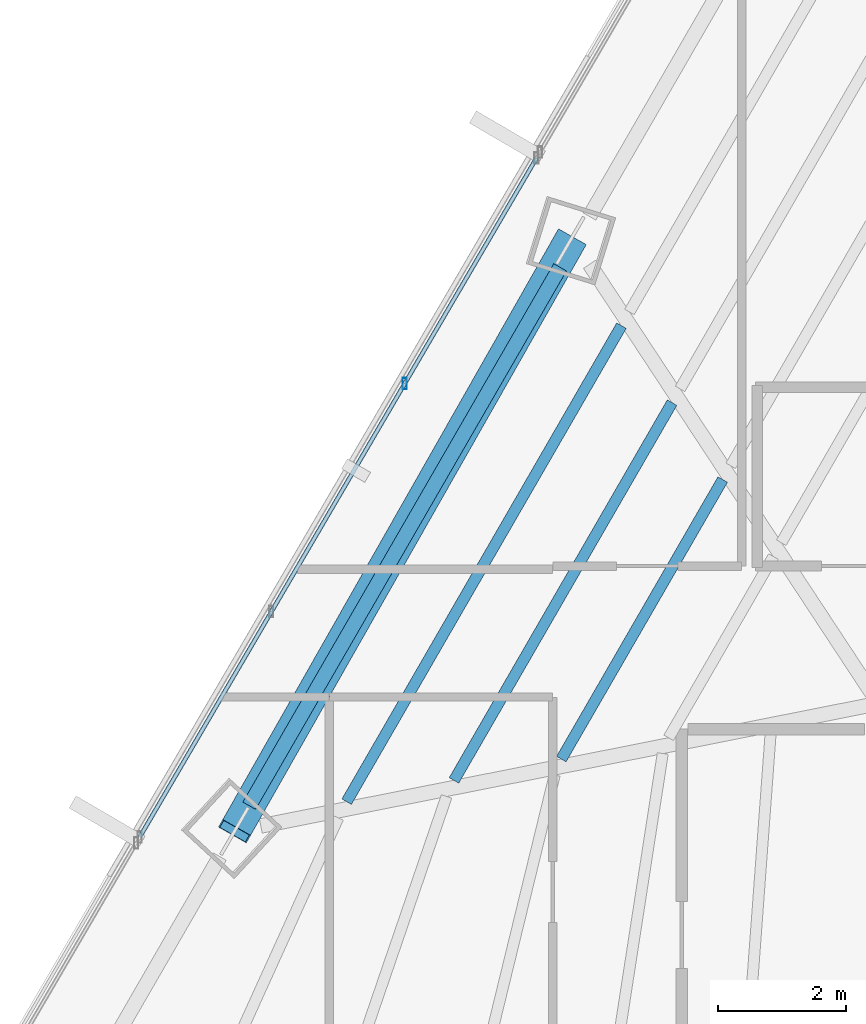
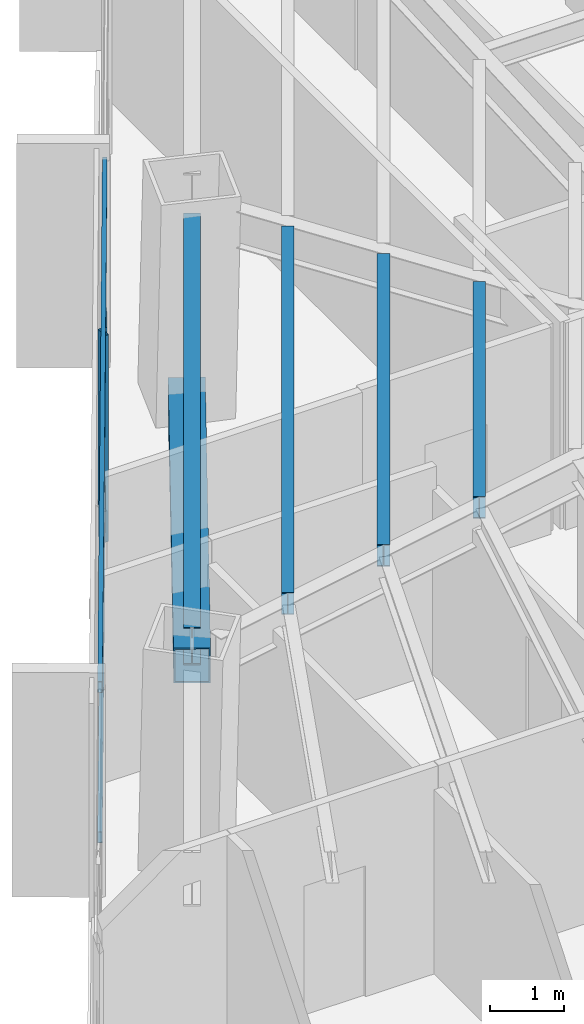
# One storey, part 12 of 35: 4 beams, 4 members, 1 element without a shape of its own.
"""IFC4 building model written with IfcOpenShell, lengths in metres."""

from ifc_helpers import new_model, si_unit, direction, frame, origin, origin_2d, place, context, subcontext, project, spatial, hollow_rectangle, i_section, extrude, source, transform, mapped, material, material_profile, profile_set, type_object, type_shapes, element, aggregate, save


model = new_model("IFC4")

# Units and contexts
model_context = context("Model", 3, precision=1e-05, world=origin(), true_north=direction((0.0, 1.0)))
body_context = subcontext(model_context, "Body", "Model", "MODEL_VIEW")
ifc_project = project(units=[si_unit("LENGTHUNIT", "METRE"), si_unit("AREAUNIT", "SQUARE_METRE"), si_unit("VOLUMEUNIT", "CUBIC_METRE"), si_unit("PLANEANGLEUNIT", "RADIAN"), si_unit("MASSUNIT", "GRAM", prefix="KILO")], contexts=[model_context])

# Site, building, storey
site_placement = place(None, origin())
site = spatial("IfcSite", under=ifc_project, at=site_placement, CompositionType="ELEMENT")
building_placement = place(site_placement, origin())
building = spatial("IfcBuilding", under=site, at=building_placement, Name="Caelisora Broadcast Tower", CompositionType="ELEMENT")
storey_placement = place(building_placement, frame((0.0, 0.0, 123.64990234375)))
storey = spatial("IfcBuildingStorey", under=building, at=storey_placement, Name="L32", CompositionType="ELEMENT", Elevation=123.64990234375)

# Beams
ifc_material_1 = material(Name="Steel Grade 350 (AS/NZS 3679.1)", Category="steel")
ifc_material_profile_1 = material_profile(ifc_material_1, i_section(OverallWidth=0.22900390625, OverallDepth=0.611572265625, WebThickness=0.011962890625, FlangeThickness=0.01953125, at=origin_2d()), Name="Steel Grade 350 (AS/NZS 3679.1)")
ifc_profile_set_1 = profile_set([ifc_material_profile_1], Name="Steel Grade 350 (AS/NZS 3679.1)")
beam_type_1 = type_object("IfcBeamType", Name="PG03", PredefinedType="BEAM", material=ifc_profile_set_1)
shared_shape_1 = source(origin(), body_context, "Body", "SweptSolid", [
    extrude(i_section(OverallWidth=0.22900390625, OverallDepth=0.611572265625, WebThickness=0.011962890625, FlangeThickness=0.01953125, at=origin_2d()), origin(), (0.0, 0.0, 1.0), 9.72998046875),
])
type_shapes(beam_type_1, [shared_shape_1])
beam_1_placement = place(storey_placement, frame((25.51513671875, 36.82568359375, 3.09423828125), z_axis=(-0.50002508151, -0.866010922483, 0.0), x_axis=(0.866010922483, -0.50002508151, 0.0)))
element("IfcBeam", 1, at=beam_1_placement, inside=storey, type_object=beam_type_1, Name="L32 beam PG03", PredefinedType="BEAM", context=body_context, shape_type="MappedRepresentation", body=[
    mapped(shared_shape_1, transform((0.0, 0.0, 0.0), scale=1.0)),
])
ifc_material_profile_2 = material_profile(ifc_material_1, i_section(OverallWidth=0.172119140625, OverallDepth=0.358642578125, WebThickness=0.008056640625, FlangeThickness=0.012939453125, at=origin_2d()), Name="Steel Grade 350 (AS/NZS 3679.1)")
ifc_profile_set_2 = profile_set([ifc_material_profile_2], Name="Steel Grade 350 (AS/NZS 3679.1)")
beam_type_2 = type_object("IfcBeamType", Name="SB02", PredefinedType="JOIST", material=ifc_profile_set_2)
shared_shape_2 = source(origin(), body_context, "Body", "SweptSolid", [
    extrude(i_section(OverallWidth=0.172119140625, OverallDepth=0.358642578125, WebThickness=0.008056640625, FlangeThickness=0.012939453125, at=origin_2d()), origin(), (0.0, 0.0, 1.0), 5.05224609375),
])
beam_2_placement = place(storey_placement, frame((28.060302734375, 33.50439453125, 3.220703125), z_axis=(-0.500011084064, -0.866019004302, 0.0), x_axis=(0.866019004302, -0.500011084064, 0.0)))
element("IfcBeam", 2, at=beam_2_placement, inside=storey, type_object=beam_type_2, Name="L32 beam SB02", PredefinedType="JOIST", context=body_context, shape_type="MappedRepresentation", body=[
    mapped(shared_shape_2, transform((0.0, 0.0, 0.0), scale=1.0)),
])
shared_shape_3 = source(origin(), body_context, "Body", "SweptSolid", [
    extrude(i_section(OverallWidth=0.172119140625, OverallDepth=0.358642578125, WebThickness=0.008056640625, FlangeThickness=0.012939453125, at=origin_2d()), origin(), (0.0, 0.0, 1.0), 6.8271484375),
])
beam_3_placement = place(storey_placement, frame((27.267822265625, 34.708251953125, 3.220703125), z_axis=(-0.500008274977, -0.866020626171, 0.0), x_axis=(0.866020626171, -0.500008274977, 0.0)))
element("IfcBeam", 3, at=beam_3_placement, inside=storey, type_object=beam_type_2, Name="L32 beam SB02", PredefinedType="JOIST", context=body_context, shape_type="MappedRepresentation", body=[
    mapped(shared_shape_3, transform((0.0, 0.0, 0.0), scale=1.0)),
])
shared_shape_4 = source(origin(), body_context, "Body", "SweptSolid", [
    extrude(i_section(OverallWidth=0.172119140625, OverallDepth=0.358642578125, WebThickness=0.008056640625, FlangeThickness=0.012939453125, at=origin_2d()), origin(), (0.0, 0.0, 1.0), 8.60205078125),
])
type_shapes(beam_type_2, [shared_shape_2, shared_shape_3, shared_shape_4])
beam_4_placement = place(storey_placement, frame((26.475341796875, 35.912353515625, 3.220703125), z_axis=(-0.500006625127, -0.866021578732, 0.0), x_axis=(0.866021578732, -0.500006625127, 0.0)))
element("IfcBeam", 4, at=beam_4_placement, inside=storey, type_object=beam_type_2, Name="L32 beam SB02", PredefinedType="JOIST", context=body_context, shape_type="MappedRepresentation", body=[
    mapped(shared_shape_4, transform((0.0, 0.0, 0.0), scale=1.0)),
])

# Member
ifc_material_2 = material(Name="Steel Grade 450 L15 (AS/NZS 3678)", Category="steel")
ifc_material_profile_3 = material_profile(ifc_material_2, hollow_rectangle(XDim=0.5, YDim=0.5, WallThickness=0.02001953125, at=origin_2d()), Name="Steel Grade 450 L15 (AS/NZS 3678)")
ifc_profile_set_3 = profile_set([ifc_material_profile_3], Name="Steel Grade 450 L15 (AS/NZS 3678)")
member_type_1 = type_object("IfcMemberType", Name="BR02", PredefinedType="BRACE", material=ifc_profile_set_3)
shared_shape_5 = source(origin(), body_context, "Body", "SweptSolid", [
    extrude(hollow_rectangle(XDim=0.5, YDim=0.5, WallThickness=0.02001953125, at=origin_2d()), origin(), (0.0, 0.0, 1.0), 11.049072265625),
])
type_shapes(member_type_1, [shared_shape_5])
member_1_placement = place(storey_placement, frame((25.67431640625, 37.24609375, 0.10009765625), z_axis=(-0.47555297213, -0.836736360403, 0.271517280993), x_axis=(0.869396487452, -0.494115115743, 0.0)))
element("IfcMember", 5, at=member_1_placement, inside=storey, type_object=member_type_1, Name="L32 perimeter brace BR02", PredefinedType="BRACE", context=body_context, shape_type="MappedRepresentation", body=[
    mapped(shared_shape_5, transform((0.0, 0.0, 0.0), scale=1.0)),
])

# Curtain wall, members
ifc_material_3 = material(Name="Unitised Aluminium Insulated Shadow-Box Spandrel Curtain Wall", Category="aluminium")
curtain_wall_type = type_object("IfcCurtainWallType", Name="CW-SP1", PredefinedType="NOTDEFINED", material=ifc_material_3)
curtain_wall_placement = place(storey_placement, origin())
curtain_wall = element("IfcCurtainWall", 6, at=curtain_wall_placement, inside=storey, type_object=curtain_wall_type, Name="L32 curtain wall CW-SP1", PredefinedType="NOTDEFINED")
ifc_material_4 = material(Name="Aluminium 6063-T6 Anodised Terracotta Bronze", Category="aluminium")
ifc_material_profile_4 = material_profile(ifc_material_4, hollow_rectangle(XDim=0.06494140625, YDim=0.179931640625, WallThickness=0.00341796875, at=origin_2d()), Name="Aluminium 6063-T6 Anodised Terracotta Bronze")
ifc_profile_set_4 = profile_set([ifc_material_profile_4], Name="Aluminium 6063-T6 Anodised Terracotta Bronze")
member_type_2 = type_object("IfcMemberType", Name="CWM-02", PredefinedType="MULLION", material=ifc_profile_set_4)
shared_shape_6 = source(origin(), body_context, "Body", "SweptSolid", [
    extrude(hollow_rectangle(XDim=0.06494140625, YDim=0.179931640625, WallThickness=0.00341796875, at=origin_2d()), origin(), (0.0, 0.0, 1.0), 3.400146484375),
])
type_shapes(member_type_2, [shared_shape_6])
member_2_placement = place(storey_placement, frame((23.08349609375, 35.006591796875, 0.0), z_axis=(0.0, 0.0, 1.0), x_axis=(1.0, 0.0, 0.0)))
member_2 = element("IfcMember", 7, at=member_2_placement, type_object=member_type_2, Name="L32-CW-B10 mullion #2", PredefinedType="MULLION", context=body_context, shape_type="MappedRepresentation", body=[
    mapped(shared_shape_6, transform((0.0, 0.0, 0.0), scale=1.0)),
])
ifc_material_profile_5 = material_profile(ifc_material_4, hollow_rectangle(XDim=0.06494140625, YDim=0.179931640625, WallThickness=0.00341796875, at=origin_2d()), Name="Aluminium 6063-T6 Anodised Terracotta Bronze")
ifc_profile_set_5 = profile_set([ifc_material_profile_5], Name="Aluminium 6063-T6 Anodised Terracotta Bronze")
member_type_3 = type_object("IfcMemberType", Name="CWT-01", PredefinedType="USERDEFINED", material=ifc_profile_set_5)
shared_shape_7 = source(origin(), body_context, "Body", "SweptSolid", [
    extrude(hollow_rectangle(XDim=0.06494140625, YDim=0.179931640625, WallThickness=0.00341796875, at=origin_2d()), origin(), (0.0, 0.0, 1.0), 12.30712890625),
])
type_shapes(member_type_3, [shared_shape_7])
member_3_placement = place(storey_placement, frame((18.935546875, 27.908203125, 0.85009765625), z_axis=(0.504522121438, 0.863398765913, 0.0), x_axis=(-0.863398765913, 0.504522121438, 0.0)))
member_3 = element("IfcMember", 8, at=member_3_placement, type_object=member_type_3, Name="L32-CW-B10 transom #1", ObjectType="TRANSOM", PredefinedType="USERDEFINED", context=body_context, shape_type="MappedRepresentation", body=[
    mapped(shared_shape_7, transform((0.0, 0.0, 0.0), scale=1.0)),
])
member_4_placement = place(storey_placement, frame((18.935546875, 27.908203125, 3.320068359375), z_axis=(0.504522121438, 0.863398765913, 0.0), x_axis=(-0.863398765913, 0.504522121438, 0.0)))
member_4 = element("IfcMember", 9, at=member_4_placement, type_object=member_type_3, Name="L32-CW-B10 transom #2", ObjectType="TRANSOM", PredefinedType="USERDEFINED", context=body_context, shape_type="MappedRepresentation", body=[
    mapped(shared_shape_7, transform((0.0, 0.0, 0.0), scale=1.0)),
])
aggregate(curtain_wall, [member_2, member_3, member_4])

save(model, "model.ifc")
